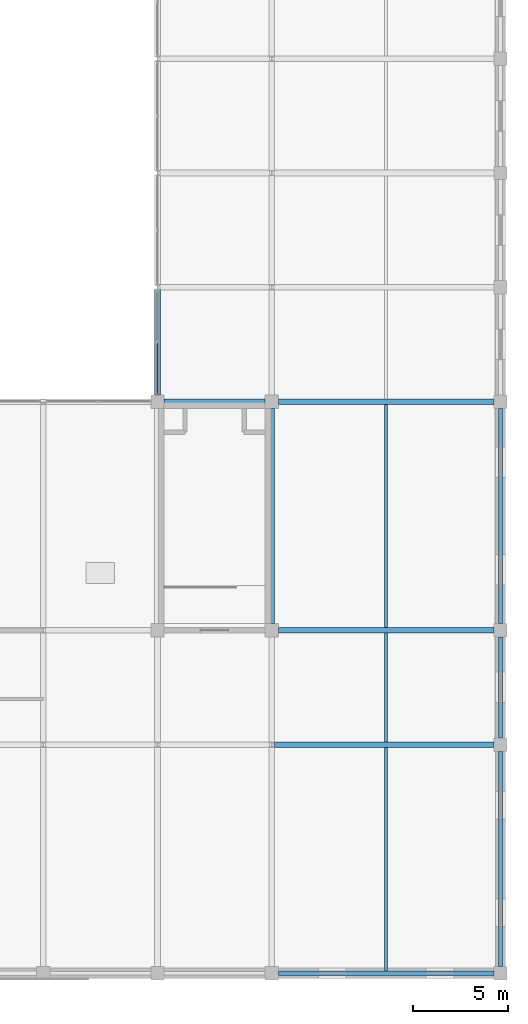
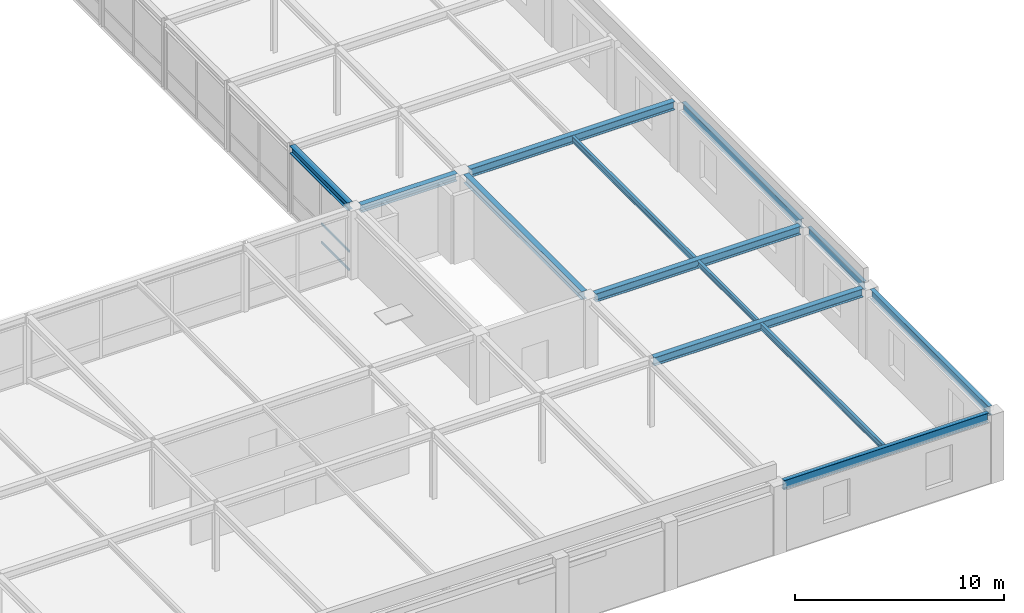
# One storey, part 86 of 111: 13 beams, 3 members, 1 element without a shape of its own.
"""IFC4 building model written with IfcOpenShell, lengths in metres."""

from ifc_helpers import new_model, si_unit, direction, frame, origin, origin_2d, place, context, subcontext, project, spatial, hollow_rectangle, i_section, extrude, material, layer, layer_set, material_profile, profile_set, type_object, element, aggregate, save


model = new_model("IFC4")

# Units and contexts
model_context = context("Model", 3, precision=1e-05, world=origin(), true_north=direction((0.0, 1.0)))
body_context = subcontext(model_context, "Body", "Model", "MODEL_VIEW")
ifc_project = project(units=[si_unit("LENGTHUNIT", "METRE"), si_unit("AREAUNIT", "SQUARE_METRE"), si_unit("VOLUMEUNIT", "CUBIC_METRE"), si_unit("PLANEANGLEUNIT", "RADIAN"), si_unit("MASSUNIT", "GRAM", prefix="KILO")], contexts=[model_context])

# Site, building, storey
site_placement = place(None, origin())
site = spatial("IfcSite", under=ifc_project, at=site_placement, CompositionType="ELEMENT")
building_placement = place(site_placement, origin())
building = spatial("IfcBuilding", under=site, at=building_placement, Name="Zlatovratsky Civic Hall", CompositionType="ELEMENT")
storey_placement = place(building_placement, frame((0.0, 0.0, 16.5)))
storey = spatial("IfcBuildingStorey", under=building, at=storey_placement, Name="L04", CompositionType="ELEMENT", Elevation=16.5)

# Beams
ifc_material_1 = material(Name="Steel S355", Category="steel")
ifc_material_profile_1 = material_profile(ifc_material_1, i_section(OverallWidth=0.300048828125, OverallDepth=0.487060546875, WebThickness=0.014404296875, FlangeThickness=0.017578125, FilletRadius=0.02392578125, at=origin_2d()), Name="50Sh2")
ifc_profile_set_1 = profile_set([ifc_material_profile_1], Name="Steel S355")
beam_type_1 = type_object("IfcBeamType", Name="Beam_ArchiveGirder_50Sh2", PredefinedType="BEAM", material=ifc_profile_set_1)
beam_1_placement = place(storey_placement, frame((156.125, 12.0, 3.756591796875), z_axis=(1.0, 0.0, 0.0), x_axis=(0.0, 1.0, 0.0)))
element("IfcBeam", 1, at=beam_1_placement, inside=storey, type_object=beam_type_1, Name="BM-3233", PredefinedType="BEAM", context=body_context, shape_type="SweptSolid", body=[
    extrude(i_section(OverallWidth=0.300048828125, OverallDepth=0.487060546875, WebThickness=0.014404296875, FlangeThickness=0.017578125, FilletRadius=0.02392578125, at=origin_2d()), origin(), (0.0, 0.0, 1.0), 11.52490234375),
])
for number, where, z_axis, x_axis, name in (
    (2, (156.35009765625, 18.0, 3.756591796875), (1.0, 0.0, 0.0), (0.0, 1.0, 0.0), "BM-3255"),
    (3, (156.35009765625, 30.0, 3.756591796875), (1.0, 0.0, 0.0), (0.0, 1.0, 0.0), "BM-3273"),
    (4, (156.0, 18.35009765625, 3.756591796875), (0.0, 1.0, 0.0), (-1.0, 0.0, 0.0), "BM-3797"),
):
    element("IfcBeam", number, at=place(storey_placement, frame(where, z_axis=z_axis, x_axis=x_axis)), inside=storey, type_object=beam_type_1, Name=name, PredefinedType="BEAM", context=body_context, shape_type="SweptSolid", body=[
        extrude(i_section(OverallWidth=0.300048828125, OverallDepth=0.487060546875, WebThickness=0.014404296875, FlangeThickness=0.017578125, FilletRadius=0.02392578125, at=origin_2d()), origin(), (0.0, 0.0, 1.0), 11.2998046875),
    ])
ifc_material_profile_2 = material_profile(ifc_material_1, i_section(OverallWidth=0.198974609375, OverallDepth=0.491943359375, WebThickness=0.0087890625, FlangeThickness=0.011962890625, FilletRadius=0.01611328125, at=origin_2d()), Name="50B1")
ifc_profile_set_2 = profile_set([ifc_material_profile_2], Name="Steel S355")
beam_type_2 = type_object("IfcBeamType", Name="Beam_Spandrel_50B1", PredefinedType="SPANDREL", material=ifc_profile_set_2)
beam_2_placement = place(storey_placement, frame((168.0, 12.35009765625, 3.75390625), z_axis=(0.0, 1.0, 0.0), x_axis=(-1.0, 0.0, 0.0)))
element("IfcBeam", 5, at=beam_2_placement, inside=storey, type_object=beam_type_2, Name="BM-3813", PredefinedType="SPANDREL", context=body_context, shape_type="SweptSolid", body=[
    extrude(i_section(OverallWidth=0.198974609375, OverallDepth=0.491943359375, WebThickness=0.0087890625, FlangeThickness=0.011962890625, FilletRadius=0.01611328125, at=origin_2d()), origin(), (0.0, 0.0, 1.0), 5.2998046875),
])
ifc_material_profile_3 = material_profile(ifc_material_1, i_section(OverallWidth=0.219970703125, OverallDepth=0.54296875, WebThickness=0.009521484375, FlangeThickness=0.013427734375, FilletRadius=0.01806640625, at=origin_2d()), Name="55B1")
ifc_profile_set_3 = profile_set([ifc_material_profile_3], Name="Steel S355")
beam_type_3 = type_object("IfcBeamType", Name="Beam_Spandrel_55B1", PredefinedType="SPANDREL", material=ifc_profile_set_3)
for number, where, z_axis, x_axis, name in (
    (6, (156.35009765625, 0.0, 3.728515625), (1.0, 0.0, 0.0), (0.0, 1.0, 0.0), "BM-3211"),
    (7, (168.0, 0.35009765625, 3.728515625), (0.0, 1.0, 0.0), (-1.0, 0.0, 0.0), "BM-3812"),
    (8, (168.0, 18.35009765625, 3.728515625), (0.0, 1.0, 0.0), (-1.0, 0.0, 0.0), "BM-3814"),
):
    element("IfcBeam", number, at=place(storey_placement, frame(where, z_axis=z_axis, x_axis=x_axis)), inside=storey, type_object=beam_type_3, Name=name, PredefinedType="SPANDREL", context=body_context, shape_type="SweptSolid", body=[
        extrude(i_section(OverallWidth=0.219970703125, OverallDepth=0.54296875, WebThickness=0.009521484375, FlangeThickness=0.013427734375, FilletRadius=0.01806640625, at=origin_2d()), origin(), (0.0, 0.0, 1.0), 11.2998046875),
    ])
ifc_material_profile_4 = material_profile(ifc_material_1, i_section(OverallWidth=0.300048828125, OverallDepth=0.43994140625, WebThickness=0.010986328125, FlangeThickness=0.01806640625, FilletRadius=0.02197265625, at=origin_2d()), Name="45Sh1")
ifc_profile_set_4 = profile_set([ifc_material_profile_4], Name="Steel S355")
beam_type_4 = type_object("IfcBeamType", Name="Beam_TowerLow_45Sh1", PredefinedType="BEAM", material=ifc_profile_set_4)
beam_3_placement = place(storey_placement, frame((150.35009765625, 30.0, 3.780029296875), z_axis=(1.0, 0.0, 0.0), x_axis=(0.0, 1.0, 0.0)))
element("IfcBeam", 9, at=beam_3_placement, inside=storey, type_object=beam_type_4, Name="BM-3272", PredefinedType="BEAM", context=body_context, shape_type="SweptSolid", body=[
    extrude(i_section(OverallWidth=0.300048828125, OverallDepth=0.43994140625, WebThickness=0.010986328125, FlangeThickness=0.01806640625, FilletRadius=0.02197265625, at=origin_2d()), origin(), (0.0, 0.0, 1.0), 5.2998046875),
])
beam_4_placement = place(storey_placement, frame((150.0, 30.35009765625, 3.780029296875), z_axis=(0.0, 1.0, 0.0), x_axis=(-1.0, 0.0, 0.0)))
element("IfcBeam", 10, at=beam_4_placement, inside=storey, type_object=beam_type_4, Name="BM-3781", PredefinedType="BEAM", context=body_context, shape_type="SweptSolid", body=[
    extrude(i_section(OverallWidth=0.300048828125, OverallDepth=0.43994140625, WebThickness=0.010986328125, FlangeThickness=0.01806640625, FilletRadius=0.02197265625, at=origin_2d()), origin(), (0.0, 0.0, 1.0), 5.52490234375),
])

# Curtain wall, members
ifc_material_2 = material(Name="Anodised bronze aluminium", Category="aluminium")
ifc_layer = layer(ifc_material_2, 0.159912109375)
ifc_layer_set = layer_set([ifc_layer], Name="Anodised bronze aluminium")
curtain_wall_type = type_object("IfcCurtainWallType", Name="CurtainWall_Bronze_5520x3550_16", PredefinedType="NOTDEFINED", material=ifc_layer_set)
curtain_wall_placement = place(storey_placement, origin())
curtain_wall = element("IfcCurtainWall", 11, at=curtain_wall_placement, inside=storey, type_object=curtain_wall_type, Name="CW-123", PredefinedType="NOTDEFINED")
ifc_material_profile_5 = material_profile(ifc_material_2, hollow_rectangle(XDim=0.06005859375, YDim=0.1201171875, WallThickness=0.00390625, at=origin_2d()), Name="ALU 60x120x4")
ifc_profile_set_5 = profile_set([ifc_material_profile_5], Name="Anodised bronze aluminium")
member_type = type_object("IfcMemberType", Name="CW_Transom_60x120", PredefinedType="USERDEFINED", material=ifc_profile_set_5)
member_1_placement = place(storey_placement, frame((150.0, 30.409912109375, 0.030029296875), z_axis=(0.0, 1.0, 0.0), x_axis=(-1.0, 0.0, 0.0)))
member_1 = element("IfcMember", 12, at=member_1_placement, type_object=member_type, Name="CW-16 transom 1.1", ObjectType="TRANSOM", PredefinedType="USERDEFINED", context=body_context, shape_type="SweptSolid", body=[
    extrude(hollow_rectangle(XDim=0.06005859375, YDim=0.1201171875, WallThickness=0.00390625, at=origin_2d()), origin(), (0.0, 0.0, 1.0), 2.672607421875),
])
member_2_placement = place(storey_placement, frame((150.0, 30.409912109375, 1.10009765625), z_axis=(0.0, 1.0, 0.0), x_axis=(-1.0, 0.0, 0.0)))
member_2 = element("IfcMember", 13, at=member_2_placement, type_object=member_type, Name="CW-16 transom 1.2", ObjectType="TRANSOM", PredefinedType="USERDEFINED", context=body_context, shape_type="SweptSolid", body=[
    extrude(hollow_rectangle(XDim=0.06005859375, YDim=0.1201171875, WallThickness=0.00390625, at=origin_2d()), origin(), (0.0, 0.0, 1.0), 2.672607421875),
])
member_3_placement = place(storey_placement, frame((150.0, 30.409912109375, 3.52001953125), z_axis=(0.0, 1.0, 0.0), x_axis=(-1.0, 0.0, 0.0)))
member_3 = element("IfcMember", 14, at=member_3_placement, type_object=member_type, Name="CW-16 transom 1.3", ObjectType="TRANSOM", PredefinedType="USERDEFINED", context=body_context, shape_type="SweptSolid", body=[
    extrude(hollow_rectangle(XDim=0.06005859375, YDim=0.1201171875, WallThickness=0.00390625, at=origin_2d()), origin(), (0.0, 0.0, 1.0), 2.672607421875),
])
aggregate(curtain_wall, [member_1, member_2, member_3])

# Beams
ifc_material_profile_6 = material_profile(ifc_material_1, i_section(OverallWidth=0.155029296875, OverallDepth=0.345947265625, WebThickness=0.006103515625, FlangeThickness=0.008544921875, FilletRadius=0.013916015625, at=origin_2d()), Name="35B1")
ifc_profile_set_6 = profile_set([ifc_material_profile_6], Name="Steel S355")
beam_type_5 = type_object("IfcBeamType", Name="Joist_Podium_35B1", PredefinedType="JOIST", material=ifc_profile_set_6)
beam_5_placement = place(storey_placement, frame((162.0, 0.110107421875, 3.826904296875), z_axis=(0.0, 1.0, 0.0), x_axis=(-1.0, 0.0, 0.0)))
element("IfcBeam", 15, at=beam_5_placement, inside=storey, type_object=beam_type_5, Name="BM-3834", PredefinedType="JOIST", context=body_context, shape_type="SweptSolid", body=[
    extrude(i_section(OverallWidth=0.155029296875, OverallDepth=0.345947265625, WebThickness=0.006103515625, FlangeThickness=0.008544921875, FilletRadius=0.013916015625, at=origin_2d()), origin(), (0.0, 0.0, 1.0), 11.739990234375),
])
beam_6_placement = place(storey_placement, frame((162.0, 18.14990234375, 3.826904296875), z_axis=(0.0, 1.0, 0.0), x_axis=(-1.0, 0.0, 0.0)))
element("IfcBeam", 16, at=beam_6_placement, inside=storey, type_object=beam_type_5, Name="BM-3846", PredefinedType="JOIST", context=body_context, shape_type="SweptSolid", body=[
    extrude(i_section(OverallWidth=0.155029296875, OverallDepth=0.345947265625, WebThickness=0.006103515625, FlangeThickness=0.008544921875, FilletRadius=0.013916015625, at=origin_2d()), origin(), (0.0, 0.0, 1.0), 11.7001953125),
])
ifc_material_profile_7 = material_profile(ifc_material_1, i_section(OverallWidth=0.14892578125, OverallDepth=0.2958984375, WebThickness=0.005615234375, FlangeThickness=0.008056640625, FilletRadius=0.012939453125, at=origin_2d()), Name="30B1")
ifc_profile_set_7 = profile_set([ifc_material_profile_7], Name="Steel S355")
beam_type_6 = type_object("IfcBeamType", Name="Joist_Tower_30B1", PredefinedType="JOIST", material=ifc_profile_set_7)
beam_7_placement = place(storey_placement, frame((162.0, 12.14990234375, 3.85205078125), z_axis=(0.0, 1.0, 0.0), x_axis=(-1.0, 0.0, 0.0)))
element("IfcBeam", 17, at=beam_7_placement, inside=storey, type_object=beam_type_6, Name="BM-3840", PredefinedType="JOIST", context=body_context, shape_type="SweptSolid", body=[
    extrude(i_section(OverallWidth=0.14892578125, OverallDepth=0.2958984375, WebThickness=0.005615234375, FlangeThickness=0.008056640625, FilletRadius=0.012939453125, at=origin_2d()), origin(), (0.0, 0.0, 1.0), 5.7001953125),
])

save(model, "model.ifc")
